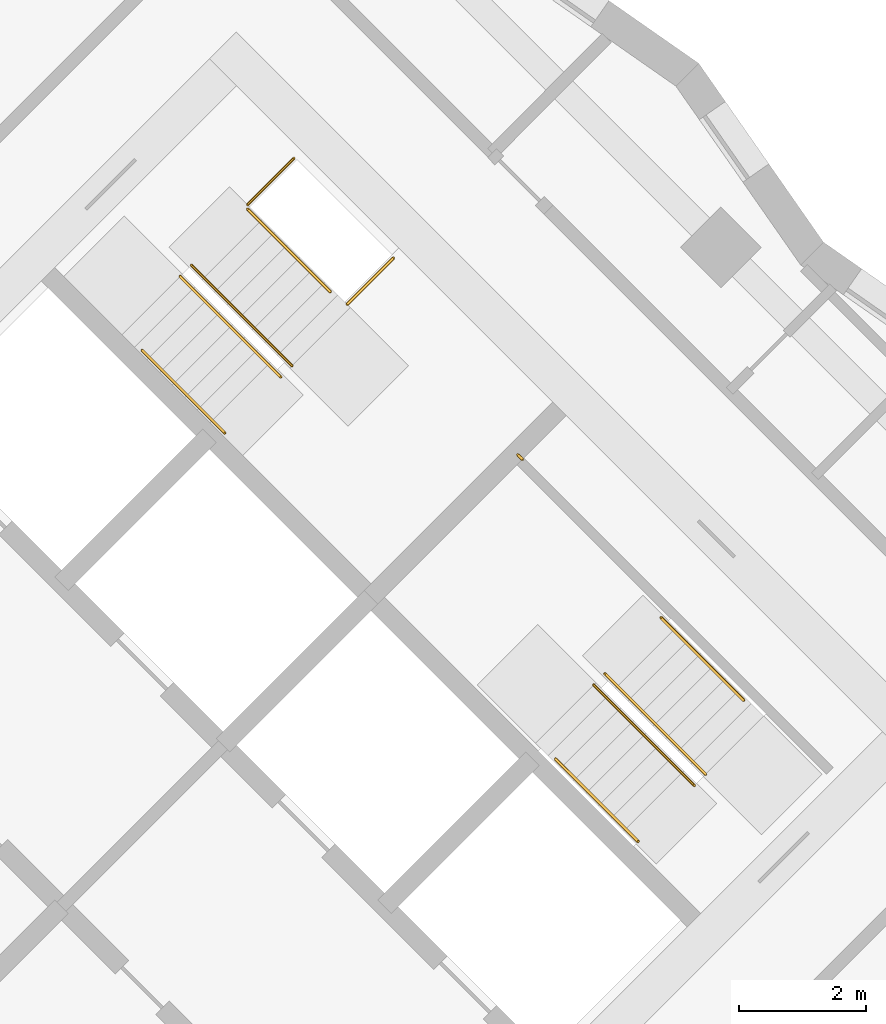
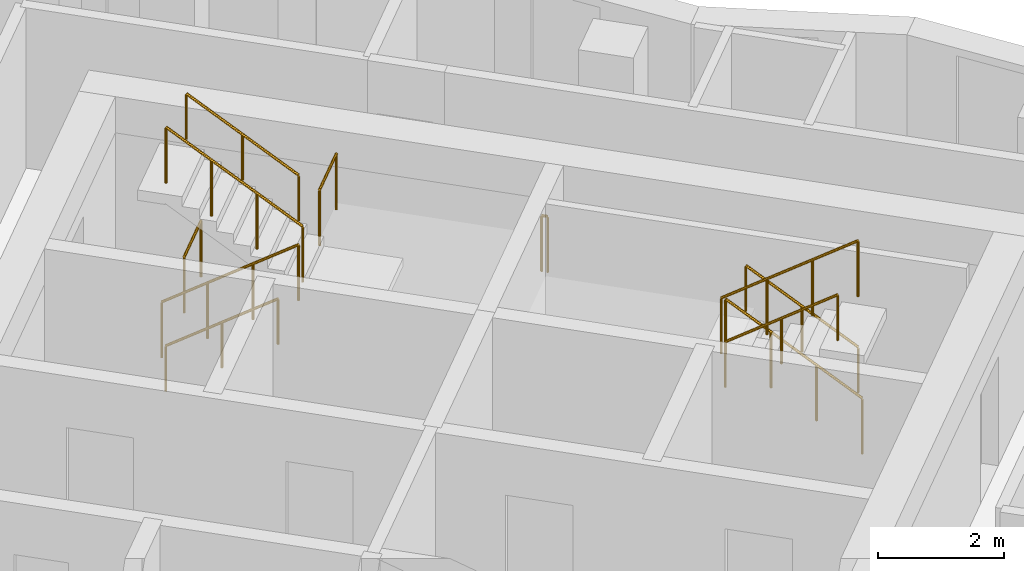
# One storey, part 12 of 12: 11 railings.
"""IFC4 building model written with IfcOpenShell, lengths in metres."""

from ifc_helpers import new_model, si_unit, direction, frame, origin, origin_2d, place, context, subcontext, project, spatial, circle, extrude, material, type_object, element, save


model = new_model("IFC4")

# Units and contexts
model_context = context("Model", 3, precision=1e-05, world=origin(), true_north=direction((0.0, 1.0)))
body_context = subcontext(model_context, "Body", "Model", "MODEL_VIEW")
ifc_project = project(units=[si_unit("LENGTHUNIT", "METRE"), si_unit("AREAUNIT", "SQUARE_METRE"), si_unit("VOLUMEUNIT", "CUBIC_METRE"), si_unit("PLANEANGLEUNIT", "RADIAN"), si_unit("MASSUNIT", "GRAM", prefix="KILO")], contexts=[model_context])

# Site, building, storey
site_placement = place(None, origin())
site = spatial("IfcSite", under=ifc_project, at=site_placement, CompositionType="ELEMENT")
building_placement = place(site_placement, origin())
building = spatial("IfcBuilding", under=site, at=building_placement, Name="Windrow Commons", CompositionType="ELEMENT")
storey_placement = place(building_placement, frame((0.0, 0.0, 169.4)))
storey = spatial("IfcBuildingStorey", under=building, at=storey_placement, Name="L46", CompositionType="ELEMENT", Elevation=169.4)

# Railings
ifc_material_1 = material(Name="Steel S355", Category="steel")
railing_type_1 = type_object("IfcRailingType", Name="Core stair guard 1100", PredefinedType="GUARDRAIL", material=ifc_material_1)
railing_1_placement = place(storey_placement, frame((85.9529, 56.2669, 0.1889)))
element("IfcRailing", 1, at=railing_1_placement, inside=storey, type_object=railing_type_1, Name="L46 ST-B1 stair guard 1", PredefinedType="GUARDRAIL", context=body_context, shape_type="SweptSolid", body=[
    extrude(circle(Radius=0.024, at=origin_2d()), frame((0.0, 0.0, 1.076), z_axis=(0.5861914914, -0.5861914914, 0.5592486664), x_axis=(0.7071067812, 0.7071067812, 0.0)), (0.0, 0.0, 1.0), 2.702),
    extrude(circle(Radius=0.021, at=origin_2d()), origin(), (0.0, 0.0, 1.0), 1.052),
    extrude(circle(Radius=0.021, at=origin_2d()), frame((0.528, -0.528, 0.5037)), (0.0, 0.0, 1.0), 1.052),
    extrude(circle(Radius=0.021, at=origin_2d()), frame((1.0559, -1.0559, 1.0074)), (0.0, 0.0, 1.0), 1.052),
    extrude(circle(Radius=0.021, at=origin_2d()), frame((1.5839, -1.5839, 1.5111)), (0.0, 0.0, 1.0), 1.052),
])
railing_2_placement = place(storey_placement, frame((87.7136, 54.8597, 1.8889)))
element("IfcRailing", 2, at=railing_2_placement, inside=storey, type_object=railing_type_1, Name="L46 ST-B1 stair guard 2", PredefinedType="GUARDRAIL", context=body_context, shape_type="SweptSolid", body=[
    extrude(circle(Radius=0.024, at=origin_2d()), frame((0.0, 0.0, 1.076), z_axis=(-0.5862030657, 0.5862030657, 0.5592244018), x_axis=(-0.7071067812, -0.7071067812, 0.0)), (0.0, 0.0, 1.0), 2.7021),
    extrude(circle(Radius=0.021, at=origin_2d()), origin(), (0.0, 0.0, 1.0), 1.052),
    extrude(circle(Radius=0.021, at=origin_2d()), frame((-0.528, 0.528, 0.5037)), (0.0, 0.0, 1.0), 1.052),
    extrude(circle(Radius=0.021, at=origin_2d()), frame((-1.056, 1.056, 1.0074)), (0.0, 0.0, 1.0), 1.052),
    extrude(circle(Radius=0.021, at=origin_2d()), frame((-1.584, 1.584, 1.5111)), (0.0, 0.0, 1.0), 1.052),
])
railing_3_placement = place(storey_placement, frame((87.0135, 57.3982, 0.0)))
element("IfcRailing", 3, at=railing_3_placement, inside=storey, type_object=railing_type_1, Name="L46 ST-B1 stair guard 3", PredefinedType="GUARDRAIL", context=body_context, shape_type="SweptSolid", body=[
    extrude(circle(Radius=0.024, at=origin_2d()), frame((0.0, 0.0, 1.076), z_axis=(0.7070582378, 0.7071553212, 0.0), x_axis=(-0.7071553212, 0.7070582378, 0.0)), (0.0, 0.0, 1.0), 1.03),
    extrude(circle(Radius=0.021, at=origin_2d()), origin(), (0.0, 0.0, 1.0), 1.052),
    extrude(circle(Radius=0.021, at=origin_2d()), frame((0.7283, 0.7284, 0.0)), (0.0, 0.0, 1.0), 1.052),
])
railing_4_placement = place(storey_placement, frame((88.5833, 55.8285, 1.7)))
element("IfcRailing", 4, at=railing_4_placement, inside=storey, type_object=railing_type_1, Name="L46 ST-B1 stair guard 4", PredefinedType="GUARDRAIL", context=body_context, shape_type="SweptSolid", body=[
    extrude(circle(Radius=0.024, at=origin_2d()), frame((0.0, 0.0, 1.076), z_axis=(0.7071067812, 0.7071067812, 0.0), x_axis=(-0.7071067812, 0.7071067812, 0.0)), (0.0, 0.0, 1.0), 1.03),
    extrude(circle(Radius=0.021, at=origin_2d()), origin(), (0.0, 0.0, 1.0), 1.052),
    extrude(circle(Radius=0.021, at=origin_2d()), frame((0.7283, 0.7283, 0.0)), (0.0, 0.0, 1.0), 1.052),
])
railing_5_placement = place(storey_placement, frame((94.2296, 48.4215, 0.1889)))
element("IfcRailing", 5, at=railing_5_placement, inside=storey, type_object=railing_type_1, Name="L46 ST-B2 stair guard 1", PredefinedType="GUARDRAIL", context=body_context, shape_type="SweptSolid", body=[
    extrude(circle(Radius=0.024, at=origin_2d()), frame((0.0, 0.0, 1.076), z_axis=(-0.5862157828, 0.5861787742, 0.5592365337), x_axis=(-0.7070844598, -0.7071291018, 0.0)), (0.0, 0.0, 1.0), 2.7021),
    extrude(circle(Radius=0.021, at=origin_2d()), origin(), (0.0, 0.0, 1.0), 1.052),
    extrude(circle(Radius=0.021, at=origin_2d()), frame((-0.528, 0.528, 0.5037)), (0.0, 0.0, 1.0), 1.052),
    extrude(circle(Radius=0.021, at=origin_2d()), frame((-1.056, 1.0559, 1.0074)), (0.0, 0.0, 1.0), 1.052),
    extrude(circle(Radius=0.021, at=origin_2d()), frame((-1.584, 1.5839, 1.5111)), (0.0, 0.0, 1.0), 1.052),
])
railing_6_placement = place(storey_placement, frame((92.4689, 49.8287, 1.8889)))
element("IfcRailing", 6, at=railing_6_placement, inside=storey, type_object=railing_type_1, Name="L46 ST-B2 stair guard 2", PredefinedType="GUARDRAIL", context=body_context, shape_type="SweptSolid", body=[
    extrude(circle(Radius=0.024, at=origin_2d()), frame((0.0, 0.0, 1.076), z_axis=(0.5861787742, -0.5862157828, 0.5592365337), x_axis=(0.7071291018, 0.7070844598, 0.0)), (0.0, 0.0, 1.0), 2.7021),
    extrude(circle(Radius=0.021, at=origin_2d()), origin(), (0.0, 0.0, 1.0), 1.052),
    extrude(circle(Radius=0.021, at=origin_2d()), frame((0.528, -0.528, 0.5037)), (0.0, 0.0, 1.0), 1.052),
    extrude(circle(Radius=0.021, at=origin_2d()), frame((1.0559, -1.056, 1.0074)), (0.0, 0.0, 1.0), 1.052),
    extrude(circle(Radius=0.021, at=origin_2d()), frame((1.5839, -1.584, 1.5111)), (0.0, 0.0, 1.0), 1.052),
])
railing_7_placement = place(storey_placement, frame((91.3446, 53.3854, 1.7)))
element("IfcRailing", 7, at=railing_7_placement, inside=storey, type_object=railing_type_1, Name="L46 ST-B2 stair guard 3", PredefinedType="GUARDRAIL", context=body_context, shape_type="SweptSolid", body=[
    extrude(circle(Radius=0.024, at=origin_2d()), frame((0.0, 0.0, 1.076), z_axis=(-0.7076063266, 0.7066068826, 0.0), x_axis=(-0.7066068826, -0.7076063266, 0.0)), (0.0, 0.0, 1.0), 0.1001),
    extrude(circle(Radius=0.021, at=origin_2d()), origin(), (0.0, 0.0, 1.0), 1.052),
    extrude(circle(Radius=0.021, at=origin_2d()), frame((-0.0708, 0.0707, 0.0)), (0.0, 0.0, 1.0), 1.052),
])
ifc_material_2 = material(Name="Steel S355", Category="steel")
railing_type_2 = type_object("IfcRailingType", Name="Core stair handrail 900", PredefinedType="HANDRAIL", material=ifc_material_2)
railing_8_placement = place(storey_placement, frame((85.3518, 55.1001, 0.4587)))
element("IfcRailing", 8, at=railing_8_placement, inside=storey, type_object=railing_type_2, Name="L46 ST-B1 stair handrail 1", PredefinedType="HANDRAIL", context=body_context, shape_type="SweptSolid", body=[
    extrude(circle(Radius=0.024, at=origin_2d()), frame((0.0, 0.0, 0.876), z_axis=(0.586206706, -0.5861616513, 0.5592639952), x_axis=(0.7070796062, 0.7071339551, 0.0)), (0.0, 0.0, 1.0), 2.2195),
    extrude(circle(Radius=0.021, at=origin_2d()), origin(), (0.0, 0.0, 1.0), 0.852),
    extrude(circle(Radius=0.021, at=origin_2d()), frame((0.6506, -0.6505, 0.6206)), (0.0, 0.0, 1.0), 0.852),
    extrude(circle(Radius=0.021, at=origin_2d()), frame((1.3011, -1.301, 1.2413)), (0.0, 0.0, 1.0), 0.852),
])
railing_9_placement = place(storey_placement, frame((88.3146, 56.0265, 2.1587)))
element("IfcRailing", 9, at=railing_9_placement, inside=storey, type_object=railing_type_2, Name="L46 ST-B1 stair handrail 2", PredefinedType="HANDRAIL", context=body_context, shape_type="SweptSolid", body=[
    extrude(circle(Radius=0.024, at=origin_2d()), frame((0.0, 0.0, 0.876), z_axis=(-0.586206706, 0.5861616513, 0.5592639952), x_axis=(-0.7070796062, -0.7071339551, 0.0)), (0.0, 0.0, 1.0), 2.2195),
    extrude(circle(Radius=0.021, at=origin_2d()), origin(), (0.0, 0.0, 1.0), 0.852),
    extrude(circle(Radius=0.021, at=origin_2d()), frame((-0.6506, 0.6505, 0.6207)), (0.0, 0.0, 1.0), 0.852),
    extrude(circle(Radius=0.021, at=origin_2d()), frame((-1.3011, 1.301, 1.2413)), (0.0, 0.0, 1.0), 0.852),
])
railing_10_placement = place(storey_placement, frame((94.8306, 49.5883, 0.4587)))
element("IfcRailing", 10, at=railing_10_placement, inside=storey, type_object=railing_type_2, Name="L46 ST-B2 stair handrail 1", PredefinedType="HANDRAIL", context=body_context, shape_type="SweptSolid", body=[
    extrude(circle(Radius=0.024, at=origin_2d()), frame((0.0, 0.0, 0.876), z_axis=(-0.586206706, 0.5861616513, 0.5592639952), x_axis=(-0.7070796062, -0.7071339551, 0.0)), (0.0, 0.0, 1.0), 2.2195),
    extrude(circle(Radius=0.021, at=origin_2d()), origin(), (0.0, 0.0, 1.0), 0.852),
    extrude(circle(Radius=0.021, at=origin_2d()), frame((-0.6506, 0.6505, 0.6206)), (0.0, 0.0, 1.0), 0.852),
    extrude(circle(Radius=0.021, at=origin_2d()), frame((-1.3011, 1.301, 1.2413)), (0.0, 0.0, 1.0), 0.852),
])
railing_11_placement = place(storey_placement, frame((91.8678, 48.6619, 2.1587)))
element("IfcRailing", 11, at=railing_11_placement, inside=storey, type_object=railing_type_2, Name="L46 ST-B2 stair handrail 2", PredefinedType="HANDRAIL", context=body_context, shape_type="SweptSolid", body=[
    extrude(circle(Radius=0.024, at=origin_2d()), frame((0.0, 0.0, 0.876), z_axis=(0.586206706, -0.5861616513, 0.5592639952), x_axis=(0.7070796062, 0.7071339551, 0.0)), (0.0, 0.0, 1.0), 2.2195),
    extrude(circle(Radius=0.021, at=origin_2d()), origin(), (0.0, 0.0, 1.0), 0.852),
    extrude(circle(Radius=0.021, at=origin_2d()), frame((0.6505, -0.6505, 0.6207)), (0.0, 0.0, 1.0), 0.852),
    extrude(circle(Radius=0.021, at=origin_2d()), frame((1.3011, -1.301, 1.2413)), (0.0, 0.0, 1.0), 0.852),
])

save(model, "model.ifc")
